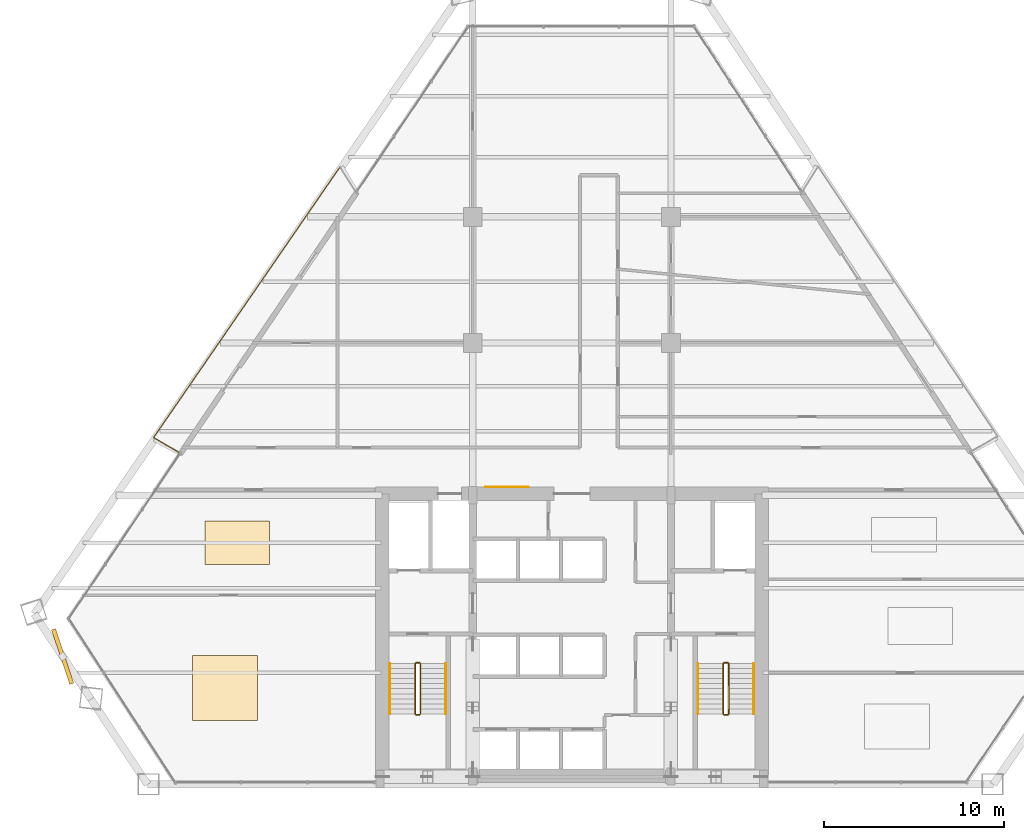
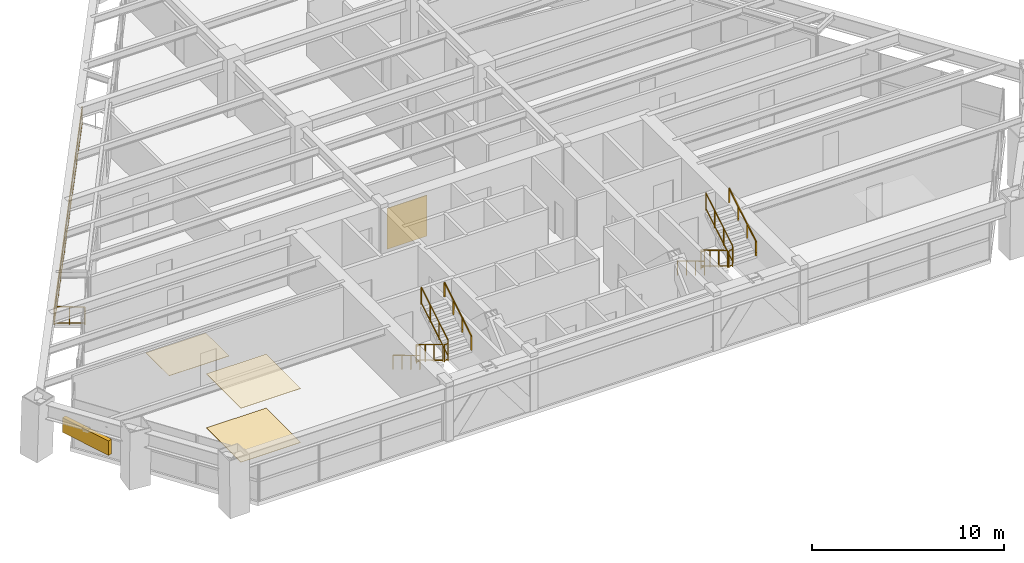
# One storey, part 13 of 14: 14 railings, 4 coverings, 1 shading device.
"""IFC4 building model written with IfcOpenShell, lengths in metres."""

from ifc_helpers import new_model, si_unit, direction, frame, origin, origin_2d, place, context, subcontext, project, spatial, rectangle, extrude, source, transform, mapped, material, layer, layer_set, type_object, type_shapes, element, save


model = new_model("IFC4")

# Units and contexts
model_context = context("Model", 3, precision=1e-05, world=origin(), true_north=direction((0.0, 1.0)))
body_context = subcontext(model_context, "Body", "Model", "MODEL_VIEW")
ifc_project = project(units=[si_unit("LENGTHUNIT", "METRE"), si_unit("AREAUNIT", "SQUARE_METRE"), si_unit("VOLUMEUNIT", "CUBIC_METRE"), si_unit("PLANEANGLEUNIT", "RADIAN"), si_unit("MASSUNIT", "GRAM", prefix="KILO")], contexts=[model_context])

# Site, building, storey
site_placement = place(None, origin())
site = spatial("IfcSite", under=ifc_project, at=site_placement, CompositionType="ELEMENT")
building_placement = place(site_placement, origin())
building = spatial("IfcBuilding", under=site, at=building_placement, Name="Varnakhor Terracotta Tower", CompositionType="ELEMENT")
storey_placement = place(building_placement, frame((0.0, 0.0, 87.699951171875)))
storey = spatial("IfcBuildingStorey", under=building, at=storey_placement, Name="L21", CompositionType="ELEMENT", Elevation=87.699951171875)

# Railings
ifc_material_1 = material(Name="Stainless Steel & Laminated Glass Guardrail", Category="steel")
railing_type_1 = type_object("IfcRailingType", Name="RLG-LOGGIA-GUARD-1150", PredefinedType="GUARDRAIL", material=ifc_material_1)
railing_1_placement = place(storey_placement, frame((-21.8330078125, 18.4375, 0.0)))
element("IfcRailing", 1, at=railing_1_placement, inside=storey, type_object=railing_type_1, Name="L21 W Loggia Glass Guard 1", PredefinedType="GUARDRAIL", context=body_context, shape_type="SweptSolid", body=[
    extrude(rectangle(XDim=0.048095703125, YDim=0.048095703125, at=origin_2d()), frame((0.0, 0.0, 1.1259765625), z_axis=(-0.861400148377, 0.507926947874, 0.0), x_axis=(-0.507926947874, -0.861400148377, 0.0)), (0.0, 0.0, 1.0), 1.599609375),
    extrude(rectangle(XDim=0.048095703125, YDim=0.048095703125, at=origin_2d()), frame((0.0, 0.0, 0.10009765625), z_axis=(-0.861400148377, 0.507926947874, 0.0), x_axis=(-0.507926947874, -0.861400148377, 0.0)), (0.0, 0.0, 1.0), 1.599609375),
    extrude(rectangle(XDim=0.0419921875, YDim=0.0419921875, at=origin_2d()), origin(), (0.0, 0.0, 1.0), 1.101806640625),
    extrude(rectangle(XDim=0.0419921875, YDim=0.0419921875, at=origin_2d()), frame((-0.68896484375, 0.40625, 0.0)), (0.0, 0.0, 1.0), 1.101806640625),
    extrude(rectangle(XDim=0.0419921875, YDim=0.0419921875, at=origin_2d()), frame((-1.3779296875, 0.8125, 0.0)), (0.0, 0.0, 1.0), 1.101806640625),
])
railing_2_placement = place(storey_placement, frame((-23.2109375, 19.25, 0.0)))
element("IfcRailing", 2, at=railing_2_placement, inside=storey, type_object=railing_type_1, Name="L21 W Loggia Glass Guard 2", PredefinedType="GUARDRAIL", context=body_context, shape_type="SweptSolid", body=[
    extrude(rectangle(XDim=0.048095703125, YDim=0.048095703125, at=origin_2d()), frame((0.0, 0.0, 1.1259765625), z_axis=(0.567179482426, 0.823594217267, 0.0), x_axis=(-0.823594217267, 0.567179482426, 0.0)), (0.0, 0.0, 1.0), 18.228515625),
    extrude(rectangle(XDim=0.048095703125, YDim=0.048095703125, at=origin_2d()), frame((0.0, 0.0, 0.10009765625), z_axis=(0.567179482426, 0.823594217267, 0.0), x_axis=(-0.823594217267, 0.567179482426, 0.0)), (0.0, 0.0, 1.0), 18.228515625),
    extrude(rectangle(XDim=0.0419921875, YDim=0.0419921875, at=origin_2d()), origin(), (0.0, 0.0, 1.0), 1.101806640625),
    extrude(rectangle(XDim=0.0419921875, YDim=0.0419921875, at=origin_2d()), frame((0.738525390625, 1.072265625, 0.0)), (0.0, 0.0, 1.0), 1.101806640625),
    extrude(rectangle(XDim=0.0419921875, YDim=0.0419921875, at=origin_2d()), frame((1.47705078125, 2.144775390625, 0.0)), (0.0, 0.0, 1.0), 1.101806640625),
    extrude(rectangle(XDim=0.0419921875, YDim=0.0419921875, at=origin_2d()), frame((2.215576171875, 3.217041015625, 0.0)), (0.0, 0.0, 1.0), 1.101806640625),
    extrude(rectangle(XDim=0.0419921875, YDim=0.0419921875, at=origin_2d()), frame((2.953857421875, 4.289306640625, 0.0)), (0.0, 0.0, 1.0), 1.101806640625),
    extrude(rectangle(XDim=0.0419921875, YDim=0.0419921875, at=origin_2d()), frame((3.6923828125, 5.36181640625, 0.0)), (0.0, 0.0, 1.0), 1.101806640625),
    extrude(rectangle(XDim=0.0419921875, YDim=0.0419921875, at=origin_2d()), frame((4.430908203125, 6.43408203125, 0.0)), (0.0, 0.0, 1.0), 1.101806640625),
    extrude(rectangle(XDim=0.0419921875, YDim=0.0419921875, at=origin_2d()), frame((5.16943359375, 7.50634765625, 0.0)), (0.0, 0.0, 1.0), 1.101806640625),
    extrude(rectangle(XDim=0.0419921875, YDim=0.0419921875, at=origin_2d()), frame((5.907958984375, 8.578857421875, 0.0)), (0.0, 0.0, 1.0), 1.101806640625),
    extrude(rectangle(XDim=0.0419921875, YDim=0.0419921875, at=origin_2d()), frame((6.646484375, 9.651123046875, 0.0)), (0.0, 0.0, 1.0), 1.101806640625),
    extrude(rectangle(XDim=0.0419921875, YDim=0.0419921875, at=origin_2d()), frame((7.385009765625, 10.7236328125, 0.0)), (0.0, 0.0, 1.0), 1.101806640625),
    extrude(rectangle(XDim=0.0419921875, YDim=0.0419921875, at=origin_2d()), frame((8.123291015625, 11.7958984375, 0.0)), (0.0, 0.0, 1.0), 1.101806640625),
    extrude(rectangle(XDim=0.0419921875, YDim=0.0419921875, at=origin_2d()), frame((8.86181640625, 12.8681640625, 0.0)), (0.0, 0.0, 1.0), 1.101806640625),
    extrude(rectangle(XDim=0.0419921875, YDim=0.0419921875, at=origin_2d()), frame((9.600341796875, 13.940673828125, 0.0)), (0.0, 0.0, 1.0), 1.101806640625),
    extrude(rectangle(XDim=0.0419921875, YDim=0.0419921875, at=origin_2d()), frame((10.3388671875, 15.012939453125, 0.0)), (0.0, 0.0, 1.0), 1.101806640625),
])
ifc_material_2 = material(Name="Painted Steel Stairwell Guardrail", Category="steel")
railing_type_2 = type_object("IfcRailingType", Name="RLG-STAIR-GUARD-1120", PredefinedType="GUARDRAIL", material=ifc_material_2)
railing_3_placement = place(storey_placement, frame((-8.699951171875, 6.7099609375, 0.168212890625)))
element("IfcRailing", 3, at=railing_3_placement, inside=storey, type_object=railing_type_2, Name="L21 ST-1 stair guard 1", PredefinedType="GUARDRAIL", context=body_context, shape_type="SweptSolid", body=[
    extrude(rectangle(XDim=0.048095703125, YDim=0.048095703125, at=origin_2d()), frame((0.0, 0.0, 1.09619140625), z_axis=(0.0, -0.857242210791, 0.514913383045), x_axis=(1.0, 0.0, 0.0)), (0.0, 0.0, 1.0), 3.266357421875),
    extrude(rectangle(XDim=0.048095703125, YDim=0.048095703125, at=origin_2d()), frame((0.0, 0.0, 0.10009765625), z_axis=(0.0, -0.857242210791, 0.514913383045), x_axis=(1.0, 0.0, 0.0)), (0.0, 0.0, 1.0), 3.266357421875),
    extrude(rectangle(XDim=0.0419921875, YDim=0.0419921875, at=origin_2d()), origin(), (0.0, 0.0, 1.0), 1.072021484375),
    extrude(rectangle(XDim=0.0419921875, YDim=0.0419921875, at=origin_2d()), frame((0.0, -0.933349609375, 0.560546875)), (0.0, 0.0, 1.0), 1.072021484375),
    extrude(rectangle(XDim=0.0419921875, YDim=0.0419921875, at=origin_2d()), frame((0.0, -1.86669921875, 1.121337890625)), (0.0, 0.0, 1.0), 1.072021484375),
    extrude(rectangle(XDim=0.0419921875, YDim=0.0419921875, at=origin_2d()), frame((0.0, -2.800048828125, 1.681884765625)), (0.0, 0.0, 1.0), 1.072021484375),
])
railing_4_placement = place(storey_placement, frame((-8.64990234375, 3.860107421875, 1.85009765625)))
element("IfcRailing", 4, at=railing_4_placement, inside=storey, type_object=railing_type_2, Name="L21 ST-1 stair guard 2", PredefinedType="GUARDRAIL", context=body_context, shape_type="SweptSolid", body=[
    extrude(rectangle(XDim=0.048095703125, YDim=0.048095703125, at=origin_2d()), frame((0.0, 0.0, 1.09619140625), z_axis=(1.0, 0.0, 0.0), x_axis=(0.0, 1.0, 0.0)), (0.0, 0.0, 1.0), 0.199951171875),
    extrude(rectangle(XDim=0.048095703125, YDim=0.048095703125, at=origin_2d()), frame((0.0, 0.0, 0.10009765625), z_axis=(1.0, 0.0, 0.0), x_axis=(0.0, 1.0, 0.0)), (0.0, 0.0, 1.0), 0.199951171875),
    extrude(rectangle(XDim=0.0419921875, YDim=0.0419921875, at=origin_2d()), origin(), (0.0, 0.0, 1.0), 1.072021484375),
    extrude(rectangle(XDim=0.0419921875, YDim=0.0419921875, at=origin_2d()), frame((0.199951171875, 0.0, 0.0)), (0.0, 0.0, 1.0), 1.072021484375),
])
railing_5_placement = place(storey_placement, frame((-8.39990234375, 3.909912109375, 2.018310546875)))
element("IfcRailing", 5, at=railing_5_placement, inside=storey, type_object=railing_type_2, Name="L21 ST-1 stair guard 3", PredefinedType="GUARDRAIL", context=body_context, shape_type="SweptSolid", body=[
    extrude(rectangle(XDim=0.048095703125, YDim=0.048095703125, at=origin_2d()), frame((0.0, 0.0, 1.09619140625), z_axis=(0.0, 0.857275202839, 0.514858452973), x_axis=(-1.0, 0.0, 0.0)), (0.0, 0.0, 1.0), 3.26611328125),
    extrude(rectangle(XDim=0.048095703125, YDim=0.048095703125, at=origin_2d()), frame((0.0, 0.0, 0.10009765625), z_axis=(0.0, 0.857275202839, 0.514858452973), x_axis=(-1.0, 0.0, 0.0)), (0.0, 0.0, 1.0), 3.26611328125),
    extrude(rectangle(XDim=0.0419921875, YDim=0.0419921875, at=origin_2d()), origin(), (0.0, 0.0, 1.0), 1.072021484375),
    extrude(rectangle(XDim=0.0419921875, YDim=0.0419921875, at=origin_2d()), frame((0.0, 0.933349609375, 0.560546875)), (0.0, 0.0, 1.0), 1.072021484375),
    extrude(rectangle(XDim=0.0419921875, YDim=0.0419921875, at=origin_2d()), frame((0.0, 1.86669921875, 1.12109375)), (0.0, 0.0, 1.0), 1.072021484375),
    extrude(rectangle(XDim=0.0419921875, YDim=0.0419921875, at=origin_2d()), frame((0.0, 2.800048828125, 1.681640625)), (0.0, 0.0, 1.0), 1.072021484375),
])
railing_6_placement = place(storey_placement, frame((-8.64990234375, 6.760009765625, 0.0)))
element("IfcRailing", 6, at=railing_6_placement, inside=storey, type_object=railing_type_2, Name="L21 ST-1 stair guard 4", PredefinedType="GUARDRAIL", context=body_context, shape_type="SweptSolid", body=[
    extrude(rectangle(XDim=0.048095703125, YDim=0.048095703125, at=origin_2d()), frame((0.0, 0.0, 1.09619140625), z_axis=(1.0, 0.0, 0.0), x_axis=(0.0, 1.0, 0.0)), (0.0, 0.0, 1.0), 0.199951171875),
    extrude(rectangle(XDim=0.048095703125, YDim=0.048095703125, at=origin_2d()), frame((0.0, 0.0, 0.10009765625), z_axis=(1.0, 0.0, 0.0), x_axis=(0.0, 1.0, 0.0)), (0.0, 0.0, 1.0), 0.199951171875),
    extrude(rectangle(XDim=0.0419921875, YDim=0.0419921875, at=origin_2d()), origin(), (0.0, 0.0, 1.0), 1.072021484375),
    extrude(rectangle(XDim=0.0419921875, YDim=0.0419921875, at=origin_2d()), frame((0.199951171875, 0.0, 0.0)), (0.0, 0.0, 1.0), 1.072021484375),
])
railing_7_placement = place(storey_placement, frame((8.39990234375, 6.7099609375, 0.168212890625)))
element("IfcRailing", 7, at=railing_7_placement, inside=storey, type_object=railing_type_2, Name="L21 ST-2 stair guard 1", PredefinedType="GUARDRAIL", context=body_context, shape_type="SweptSolid", body=[
    extrude(rectangle(XDim=0.048095703125, YDim=0.048095703125, at=origin_2d()), frame((0.0, 0.0, 1.09619140625), z_axis=(0.0, -0.857242210791, 0.514913383045), x_axis=(1.0, 0.0, 0.0)), (0.0, 0.0, 1.0), 3.266357421875),
    extrude(rectangle(XDim=0.048095703125, YDim=0.048095703125, at=origin_2d()), frame((0.0, 0.0, 0.10009765625), z_axis=(0.0, -0.857242210791, 0.514913383045), x_axis=(1.0, 0.0, 0.0)), (0.0, 0.0, 1.0), 3.266357421875),
    extrude(rectangle(XDim=0.0419921875, YDim=0.0419921875, at=origin_2d()), origin(), (0.0, 0.0, 1.0), 1.072021484375),
    extrude(rectangle(XDim=0.0419921875, YDim=0.0419921875, at=origin_2d()), frame((0.0, -0.933349609375, 0.560546875)), (0.0, 0.0, 1.0), 1.072021484375),
    extrude(rectangle(XDim=0.0419921875, YDim=0.0419921875, at=origin_2d()), frame((0.0, -1.86669921875, 1.121337890625)), (0.0, 0.0, 1.0), 1.072021484375),
    extrude(rectangle(XDim=0.0419921875, YDim=0.0419921875, at=origin_2d()), frame((0.0, -2.800048828125, 1.681884765625)), (0.0, 0.0, 1.0), 1.072021484375),
])
railing_8_placement = place(storey_placement, frame((8.449951171875, 3.860107421875, 1.85009765625)))
element("IfcRailing", 8, at=railing_8_placement, inside=storey, type_object=railing_type_2, Name="L21 ST-2 stair guard 2", PredefinedType="GUARDRAIL", context=body_context, shape_type="SweptSolid", body=[
    extrude(rectangle(XDim=0.048095703125, YDim=0.048095703125, at=origin_2d()), frame((0.0, 0.0, 1.09619140625), z_axis=(1.0, 0.0, 0.0), x_axis=(0.0, 1.0, 0.0)), (0.0, 0.0, 1.0), 0.199951171875),
    extrude(rectangle(XDim=0.048095703125, YDim=0.048095703125, at=origin_2d()), frame((0.0, 0.0, 0.10009765625), z_axis=(1.0, 0.0, 0.0), x_axis=(0.0, 1.0, 0.0)), (0.0, 0.0, 1.0), 0.199951171875),
    extrude(rectangle(XDim=0.0419921875, YDim=0.0419921875, at=origin_2d()), origin(), (0.0, 0.0, 1.0), 1.072021484375),
    extrude(rectangle(XDim=0.0419921875, YDim=0.0419921875, at=origin_2d()), frame((0.199951171875, 0.0, 0.0)), (0.0, 0.0, 1.0), 1.072021484375),
])
railing_9_placement = place(storey_placement, frame((8.699951171875, 3.909912109375, 2.018310546875)))
element("IfcRailing", 9, at=railing_9_placement, inside=storey, type_object=railing_type_2, Name="L21 ST-2 stair guard 3", PredefinedType="GUARDRAIL", context=body_context, shape_type="SweptSolid", body=[
    extrude(rectangle(XDim=0.048095703125, YDim=0.048095703125, at=origin_2d()), frame((0.0, 0.0, 1.09619140625), z_axis=(0.0, 0.857275202839, 0.514858452973), x_axis=(-1.0, 0.0, 0.0)), (0.0, 0.0, 1.0), 3.26611328125),
    extrude(rectangle(XDim=0.048095703125, YDim=0.048095703125, at=origin_2d()), frame((0.0, 0.0, 0.10009765625), z_axis=(0.0, 0.857275202839, 0.514858452973), x_axis=(-1.0, 0.0, 0.0)), (0.0, 0.0, 1.0), 3.26611328125),
    extrude(rectangle(XDim=0.0419921875, YDim=0.0419921875, at=origin_2d()), origin(), (0.0, 0.0, 1.0), 1.072021484375),
    extrude(rectangle(XDim=0.0419921875, YDim=0.0419921875, at=origin_2d()), frame((0.0, 0.933349609375, 0.560546875)), (0.0, 0.0, 1.0), 1.072021484375),
    extrude(rectangle(XDim=0.0419921875, YDim=0.0419921875, at=origin_2d()), frame((0.0, 1.86669921875, 1.12109375)), (0.0, 0.0, 1.0), 1.072021484375),
    extrude(rectangle(XDim=0.0419921875, YDim=0.0419921875, at=origin_2d()), frame((0.0, 2.800048828125, 1.681640625)), (0.0, 0.0, 1.0), 1.072021484375),
])
railing_10_placement = place(storey_placement, frame((8.449951171875, 6.760009765625, 0.0)))
element("IfcRailing", 10, at=railing_10_placement, inside=storey, type_object=railing_type_2, Name="L21 ST-2 stair guard 4", PredefinedType="GUARDRAIL", context=body_context, shape_type="SweptSolid", body=[
    extrude(rectangle(XDim=0.048095703125, YDim=0.048095703125, at=origin_2d()), frame((0.0, 0.0, 1.09619140625), z_axis=(1.0, 0.0, 0.0), x_axis=(0.0, 1.0, 0.0)), (0.0, 0.0, 1.0), 0.199951171875),
    extrude(rectangle(XDim=0.048095703125, YDim=0.048095703125, at=origin_2d()), frame((0.0, 0.0, 0.10009765625), z_axis=(1.0, 0.0, 0.0), x_axis=(0.0, 1.0, 0.0)), (0.0, 0.0, 1.0), 0.199951171875),
    extrude(rectangle(XDim=0.0419921875, YDim=0.0419921875, at=origin_2d()), origin(), (0.0, 0.0, 1.0), 1.072021484375),
    extrude(rectangle(XDim=0.0419921875, YDim=0.0419921875, at=origin_2d()), frame((0.199951171875, 0.0, 0.0)), (0.0, 0.0, 1.0), 1.072021484375),
])
ifc_material_3 = material(Name="Brushed Stainless Steel Handrail", Category="steel")
railing_type_3 = type_object("IfcRailingType", Name="RLG-STAIR-HANDRAIL-920", PredefinedType="HANDRAIL", material=ifc_material_3)
railing_11_placement = place(storey_placement, frame((-10.10009765625, 6.7099609375, 0.168212890625)))
element("IfcRailing", 11, at=railing_11_placement, inside=storey, type_object=railing_type_3, Name="L21 ST-1 stair handrail 1", PredefinedType="HANDRAIL", context=body_context, shape_type="SweptSolid", body=[
    extrude(rectangle(XDim=0.048095703125, YDim=0.048095703125, at=origin_2d()), frame((0.0, 0.0, 0.89599609375), z_axis=(0.0, -0.857242210791, 0.514913383045), x_axis=(1.0, 0.0, 0.0)), (0.0, 0.0, 1.0), 3.266357421875),
    extrude(rectangle(XDim=0.0419921875, YDim=0.0419921875, at=origin_2d()), origin(), (0.0, 0.0, 1.0), 0.871826171875),
    extrude(rectangle(XDim=0.0419921875, YDim=0.0419921875, at=origin_2d()), frame((0.0, -0.933349609375, 0.560546875)), (0.0, 0.0, 1.0), 0.871826171875),
    extrude(rectangle(XDim=0.0419921875, YDim=0.0419921875, at=origin_2d()), frame((0.0, -1.86669921875, 1.121337890625)), (0.0, 0.0, 1.0), 0.871826171875),
    extrude(rectangle(XDim=0.0419921875, YDim=0.0419921875, at=origin_2d()), frame((0.0, -2.800048828125, 1.681884765625)), (0.0, 0.0, 1.0), 0.871826171875),
])
railing_12_placement = place(storey_placement, frame((-7.0, 3.909912109375, 2.018310546875)))
element("IfcRailing", 12, at=railing_12_placement, inside=storey, type_object=railing_type_3, Name="L21 ST-1 stair handrail 2", PredefinedType="HANDRAIL", context=body_context, shape_type="SweptSolid", body=[
    extrude(rectangle(XDim=0.048095703125, YDim=0.048095703125, at=origin_2d()), frame((0.0, 0.0, 0.89599609375), z_axis=(0.0, 0.857275202839, 0.514858452973), x_axis=(-1.0, 0.0, 0.0)), (0.0, 0.0, 1.0), 3.26611328125),
    extrude(rectangle(XDim=0.0419921875, YDim=0.0419921875, at=origin_2d()), origin(), (0.0, 0.0, 1.0), 0.871826171875),
    extrude(rectangle(XDim=0.0419921875, YDim=0.0419921875, at=origin_2d()), frame((0.0, 0.933349609375, 0.560546875)), (0.0, 0.0, 1.0), 0.871826171875),
    extrude(rectangle(XDim=0.0419921875, YDim=0.0419921875, at=origin_2d()), frame((0.0, 1.86669921875, 1.12109375)), (0.0, 0.0, 1.0), 0.871826171875),
    extrude(rectangle(XDim=0.0419921875, YDim=0.0419921875, at=origin_2d()), frame((0.0, 2.800048828125, 1.681640625)), (0.0, 0.0, 1.0), 0.871826171875),
])
railing_13_placement = place(storey_placement, frame((7.0, 6.7099609375, 0.168212890625)))
element("IfcRailing", 13, at=railing_13_placement, inside=storey, type_object=railing_type_3, Name="L21 ST-2 stair handrail 1", PredefinedType="HANDRAIL", context=body_context, shape_type="SweptSolid", body=[
    extrude(rectangle(XDim=0.048095703125, YDim=0.048095703125, at=origin_2d()), frame((0.0, 0.0, 0.89599609375), z_axis=(0.0, -0.857242210791, 0.514913383045), x_axis=(1.0, 0.0, 0.0)), (0.0, 0.0, 1.0), 3.266357421875),
    extrude(rectangle(XDim=0.0419921875, YDim=0.0419921875, at=origin_2d()), origin(), (0.0, 0.0, 1.0), 0.871826171875),
    extrude(rectangle(XDim=0.0419921875, YDim=0.0419921875, at=origin_2d()), frame((0.0, -0.933349609375, 0.560546875)), (0.0, 0.0, 1.0), 0.871826171875),
    extrude(rectangle(XDim=0.0419921875, YDim=0.0419921875, at=origin_2d()), frame((0.0, -1.86669921875, 1.121337890625)), (0.0, 0.0, 1.0), 0.871826171875),
    extrude(rectangle(XDim=0.0419921875, YDim=0.0419921875, at=origin_2d()), frame((0.0, -2.800048828125, 1.681884765625)), (0.0, 0.0, 1.0), 0.871826171875),
])
railing_14_placement = place(storey_placement, frame((10.10009765625, 3.909912109375, 2.018310546875)))
element("IfcRailing", 14, at=railing_14_placement, inside=storey, type_object=railing_type_3, Name="L21 ST-2 stair handrail 2", PredefinedType="HANDRAIL", context=body_context, shape_type="SweptSolid", body=[
    extrude(rectangle(XDim=0.048095703125, YDim=0.048095703125, at=origin_2d()), frame((0.0, 0.0, 0.89599609375), z_axis=(0.0, 0.857275202839, 0.514858452973), x_axis=(-1.0, 0.0, 0.0)), (0.0, 0.0, 1.0), 3.26611328125),
    extrude(rectangle(XDim=0.0419921875, YDim=0.0419921875, at=origin_2d()), origin(), (0.0, 0.0, 1.0), 0.871826171875),
    extrude(rectangle(XDim=0.0419921875, YDim=0.0419921875, at=origin_2d()), frame((0.0, 0.933349609375, 0.560546875)), (0.0, 0.0, 1.0), 0.871826171875),
    extrude(rectangle(XDim=0.0419921875, YDim=0.0419921875, at=origin_2d()), frame((0.0, 1.86669921875, 1.12109375)), (0.0, 0.0, 1.0), 0.871826171875),
    extrude(rectangle(XDim=0.0419921875, YDim=0.0419921875, at=origin_2d()), frame((0.0, 2.800048828125, 1.681640625)), (0.0, 0.0, 1.0), 0.871826171875),
])

# Shading device
ifc_material_4 = material(Name="Extruded Architectural Terracotta Screen", Category="masonry")
shading_device_type = type_object("IfcShadingDeviceType", Name="TERRACOTTA SOLAR SCREEN W", PredefinedType="USERDEFINED", material=ifc_material_4)
shared_shape_1 = source(origin(), body_context, "Body", "SweptSolid", [
    extrude(rectangle(XDim=3.199951171875, YDim=0.239990234375, at=origin_2d()), origin(), (0.0, 0.0, 1.0), 0.919921875),
])
type_shapes(shading_device_type, [shared_shape_1])
shading_device_placement = place(storey_placement, frame((-28.2607421875, 7.096435546875, 1.6181640625), z_axis=(0.0, 0.0, 1.0), x_axis=(0.318429925842, -0.947946402667, 0.0)))
element("IfcShadingDevice", 15, at=shading_device_placement, inside=storey, type_object=shading_device_type, Name="L21 W Terracotta Solar Screen", ObjectType="SCREEN", PredefinedType="USERDEFINED", context=body_context, shape_type="MappedRepresentation", body=[
    mapped(shared_shape_1, transform((0.0, 0.0, 0.0), scale=1.0)),
])

# Coverings
ifc_material_5 = material(Name="Extruded Architectural Terracotta Cladding", Category="masonry")
ifc_layer_1 = layer(ifc_material_5, 0.044921875, Name="Extruded Architectural Terracotta Cladding")
ifc_layer_set_1 = layer_set([ifc_layer_1], Name="Extruded Architectural Terracotta Cladding")
covering_type_1 = type_object("IfcCoveringType", Name="COV-CLAD-TERRACOTTA", PredefinedType="CLADDING", material=ifc_layer_set_1)
shared_shape_2 = source(origin(), body_context, "Body", "SweptSolid", [
    extrude(rectangle(XDim=2.39990234375, YDim=0.030029296875, at=origin_2d()), origin(), (0.0, 0.0, 1.0), 2.60009765625),
])
type_shapes(covering_type_1, [shared_shape_2])
covering_1_placement = place(storey_placement, frame((-3.60009765625, 16.511962890625, 0.0), z_axis=(0.0, 0.0, 1.0), x_axis=(1.0, 0.0, 0.0)))
element("IfcCovering", 16, at=covering_1_placement, inside=storey, type_object=covering_type_1, Name="L21 Core Lobby Limestone Cladding", PredefinedType="CLADDING", context=body_context, shape_type="MappedRepresentation", body=[
    mapped(shared_shape_2, transform((0.0, 0.0, 0.0), scale=1.0)),
])
ifc_material_6 = material(Name="Honed Riyadh Limestone Flooring", Category="masonry")
ifc_layer_2 = layer(ifc_material_6, 0.030029296875, Name="Honed Riyadh Limestone Flooring")
ifc_layer_set_2 = layer_set([ifc_layer_2], Name="Honed Riyadh Limestone Flooring")
covering_type_2 = type_object("IfcCoveringType", Name="COV-FLOOR-LIMESTONE", PredefinedType="FLOORING", material=ifc_layer_set_2)
shared_shape_3 = source(origin(), body_context, "Body", "SweptSolid", [
    extrude(rectangle(XDim=3.60009765625, YDim=3.60009765625, at=origin_2d()), origin(), (0.0, 0.0, 1.0), 0.02001953125),
])
covering_2_placement = place(storey_placement, frame((-19.259033203125, 5.35205078125, 0.0), z_axis=(0.0, 0.0, 1.0), x_axis=(1.0, 0.0, 0.0)))
element("IfcCovering", 17, at=covering_2_placement, inside=storey, type_object=covering_type_2, Name="L21 Honed Stone Flooring 2", PredefinedType="FLOORING", context=body_context, shape_type="MappedRepresentation", body=[
    mapped(shared_shape_3, transform((0.0, 0.0, 0.0), scale=1.0)),
])
ifc_material_7 = material(Name="Perforated Acoustic Mineral-Fibre Ceiling", Category="gypsum")
ifc_layer_3 = layer(ifc_material_7, 0.02490234375, Name="Perforated Acoustic Mineral-Fibre Ceiling")
ifc_layer_set_3 = layer_set([ifc_layer_3], Name="Perforated Acoustic Mineral-Fibre Ceiling")
covering_type_3 = type_object("IfcCoveringType", Name="COV-CEILING-ACOUSTIC", PredefinedType="CEILING", material=ifc_layer_set_3)
shared_shape_4 = source(origin(), body_context, "Body", "SweptSolid", [
    extrude(rectangle(XDim=3.60009765625, YDim=3.60009765625, at=origin_2d()), origin(), (0.0, 0.0, 1.0), 0.02392578125),
])
covering_3_placement = place(storey_placement, frame((-19.259033203125, 5.35205078125, 3.426025390625), z_axis=(0.0, 0.0, 1.0), x_axis=(1.0, 0.0, 0.0)))
element("IfcCovering", 18, at=covering_3_placement, inside=storey, type_object=covering_type_3, Name="L21 Acoustic Ceiling Panel 2", PredefinedType="CEILING", context=body_context, shape_type="MappedRepresentation", body=[
    mapped(shared_shape_4, transform((0.0, 0.0, 0.0), scale=1.0)),
])
shared_shape_5 = source(origin(), body_context, "Body", "SweptSolid", [
    extrude(rectangle(XDim=3.60009765625, YDim=2.406982421875, at=origin_2d()), origin(), (0.0, 0.0, 1.0), 0.02001953125),
])
covering_4_placement = place(storey_placement, frame((-18.573974609375, 13.4140625, 0.0), z_axis=(0.0, 0.0, 1.0), x_axis=(1.0, 0.0, 0.0)))
element("IfcCovering", 19, at=covering_4_placement, inside=storey, type_object=covering_type_2, Name="L21 Honed Stone Flooring 4", PredefinedType="FLOORING", context=body_context, shape_type="MappedRepresentation", body=[
    mapped(shared_shape_5, transform((0.0, 0.0, 0.0), scale=1.0)),
])

save(model, "model.ifc")
